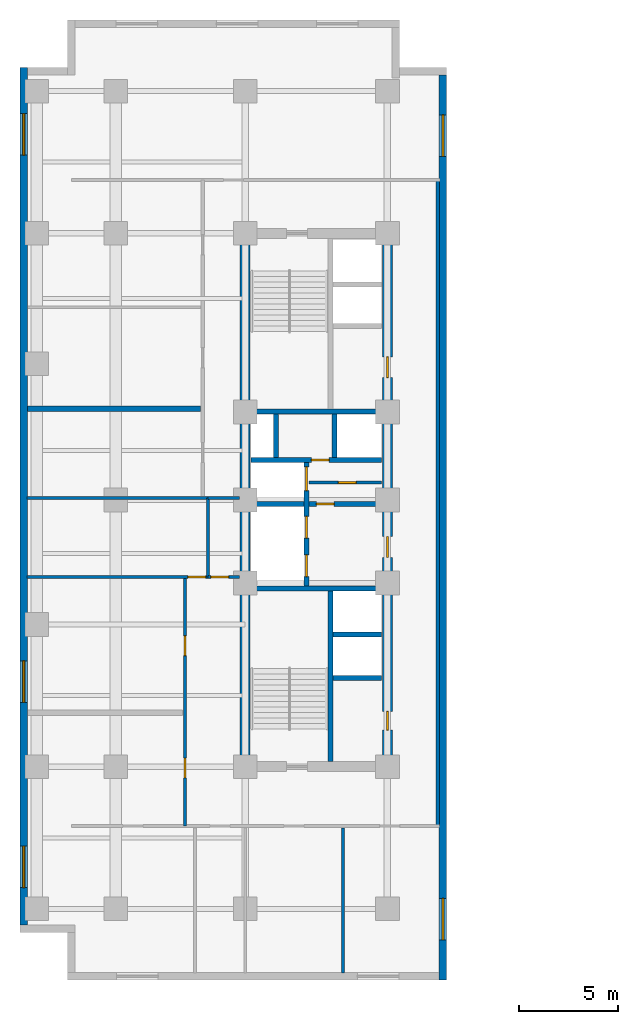
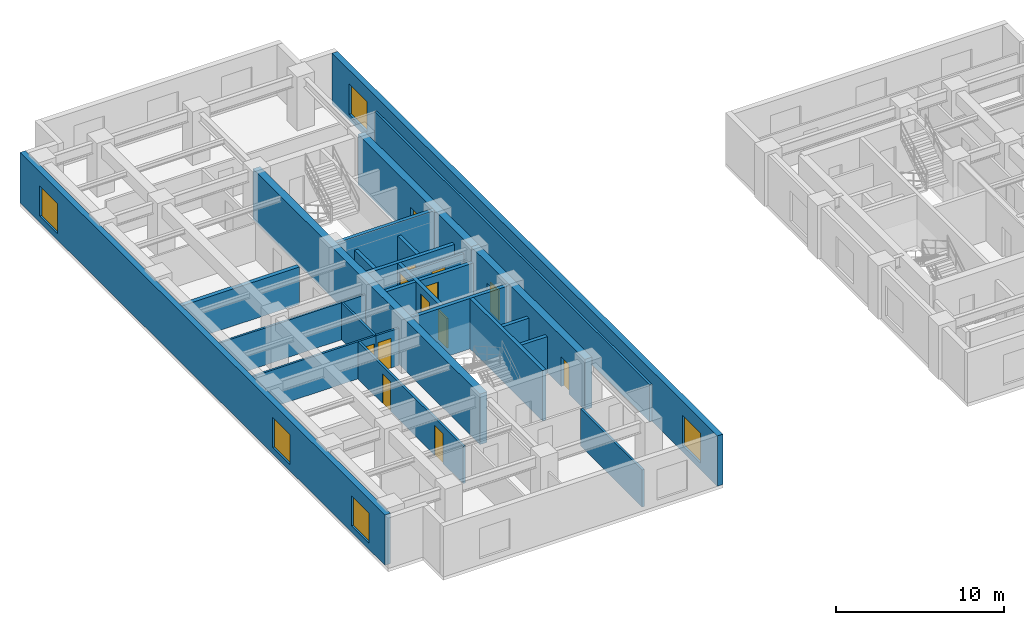
# One storey, part 3 of 8: 25 walls, 13 doors, 5 windows, 18 openings.
"""IFC4 building model written with IfcOpenShell, lengths in metres."""

from ifc_helpers import new_model, entity, si_unit, converted_unit, direction, frame, origin_with_axes, origin_2d_with_axis, place, context, subcontext, project, spatial, polyline, rectangle, outline, extrude, material, layer, layer_set, type_object, element, fill, save


model = new_model("IFC4")

# Units and contexts
model_context = context("Model", 3, precision=1e-05, world=origin_with_axes(), true_north=direction((0.0, 1.0)))
body_context = subcontext(model_context, "Body", "Model", "MODEL_VIEW")
ifc_project = project(units=[si_unit("LENGTHUNIT", "METRE"), si_unit("AREAUNIT", "SQUARE_METRE"), si_unit("VOLUMEUNIT", "CUBIC_METRE"), converted_unit("PLANEANGLEUNIT", "DEGREE", entity("IfcPlaneAngleMeasure", 0.017453292519943295), si_unit("PLANEANGLEUNIT", "RADIAN"), dimensions=[0, 0, 0, 0, 0, 0, 0]), si_unit("MASSUNIT", "GRAM", prefix="KILO"), si_unit("THERMODYNAMICTEMPERATUREUNIT", "KELVIN")], contexts=[model_context])

# Site, building, storey
site_placement = place(None, origin_with_axes())
site = spatial("IfcSite", under=ifc_project, at=site_placement, CompositionType="ELEMENT")
building_placement = place(site_placement, origin_with_axes())
building = spatial("IfcBuilding", under=site, at=building_placement, Name="Varnlund Millrace Tower", CompositionType="ELEMENT")
storey_placement = place(building_placement, frame((0.0, 0.0, 116.4), z_axis=(0.0, 0.0, 1.0), x_axis=(1.0, 0.0, 0.0)))
storey = spatial("IfcBuildingStorey", under=building, at=storey_placement, Name="L28", CompositionType="ELEMENT", Elevation=116.4)

# Wall
ifc_material_1 = material(Name="Concrete C70/85", Category="concrete")
ifc_layer_1 = layer(ifc_material_1, 0.5, Name="Concrete C70/85")
ifc_layer_set_1 = layer_set([ifc_layer_1], Name="Concrete C70/85")
wall_type_1 = type_object("IfcWallType", Name="Type-CoreWall-Shear-500-C70", PredefinedType="SHEAR", material=ifc_layer_set_1)
wall_1_placement = place(storey_placement, frame((11.4, 10.8, 0.0), z_axis=(0.0, 0.0, 1.0), x_axis=(0.0, 1.0, 0.0)))
element("IfcWall", 1, at=wall_1_placement, inside=storey, type_object=wall_type_1, Name="Type-CoreWall-Shear-500-C70", PredefinedType="SHEAR", context=body_context, shape_type="SweptSolid", body=[
    extrude(outline(polyline([(0.0, -0.25), (27.0, -0.25), (27.0, 0.25), (0.0, 0.25), (0.0, -0.25)])), origin_with_axes(), (0.0, 0.0, 1.0), 3.66),
])

# Wall, openings, doors
wall_2_placement = place(storey_placement, frame((18.6, 10.8, 0.0), z_axis=(0.0, 0.0, 1.0), x_axis=(0.0, 1.0, 0.0)))
wall_2 = element("IfcWall", 2, at=wall_2_placement, inside=storey, type_object=wall_type_1, Name="Type-CoreWall-Shear-500-C70", PredefinedType="SHEAR", context=body_context, shape_type="SweptSolid", body=[
    extrude(outline(polyline([(0.0, -0.25), (13.5, -0.25), (13.5, 0.25), (0.0, 0.25), (0.0, -0.25)])), origin_with_axes(), (0.0, 0.0, 1.0), 3.66),
])
opening_1_placement = place(wall_2_placement, frame((11.125, 0.0, 0.0), z_axis=(0.0, 0.0, 1.0), x_axis=(1.0, 0.0, 0.0)))
opening_1 = element("IfcOpeningElement", 3, at=opening_1_placement, cuts=wall_2, Name="Opening L28:DR-FFLOB-A", PredefinedType="OPENING", context=body_context, shape_type="SweptSolid", body=[
    extrude(rectangle(XDim=1.05, YDim=0.52, at=origin_2d_with_axis()), origin_with_axes(), (0.0, 0.0, 1.0), 2.15),
])
opening_2_placement = place(wall_2_placement, frame((2.325, 0.0, 0.0), z_axis=(0.0, 0.0, 1.0), x_axis=(1.0, 0.0, 0.0)))
opening_2 = element("IfcOpeningElement", 4, at=opening_2_placement, cuts=wall_2, Name="Opening L28:DR-RECL-B1", PredefinedType="OPENING", context=body_context, shape_type="SweptSolid", body=[
    extrude(rectangle(XDim=0.95, YDim=0.52, at=origin_2d_with_axis()), origin_with_axes(), (0.0, 0.0, 1.0), 2.15),
])
ifc_material_2 = material(Name="Smoke-barrier hollow steel fire door", Category="steel")
door_type_1 = type_object("IfcDoorType", Name="Type-FireDoor-Lobby-1050X2150", OperationType="NOTDEFINED", PredefinedType="DOOR", material=ifc_material_2)
door_1_placement = place(wall_2_placement, frame((11.125, 0.0, 0.0), z_axis=(0.0, 0.0, 1.0), x_axis=(1.0, 0.0, 0.0)))
door_1 = element("IfcDoor", 5, at=door_1_placement, inside=storey, type_object=door_type_1, Name="Type-FireDoor-Lobby-1050X2150", OperationType="SINGLE_SWING_LEFT", OverallHeight=2.15, OverallWidth=1.05, PredefinedType="DOOR", context=body_context, shape_type="SweptSolid", body=[
    extrude(rectangle(XDim=1.05, YDim=0.09, at=origin_2d_with_axis()), origin_with_axes(), (0.0, 0.0, 1.0), 2.15),
])
fill(opening_1, door_1)
ifc_material_3 = material(Name="Fire-rated hollow steel core service door", Category="steel")
door_type_2 = type_object("IfcDoorType", Name="Type-FireDoor-Service-950X2150", OperationType="NOTDEFINED", PredefinedType="DOOR", material=ifc_material_3)
door_2_placement = place(wall_2_placement, frame((2.325, 0.0, 0.0), z_axis=(0.0, 0.0, 1.0), x_axis=(1.0, 0.0, 0.0)))
door_2 = element("IfcDoor", 6, at=door_2_placement, inside=storey, type_object=door_type_2, Name="Type-FireDoor-Service-950X2150", OperationType="SINGLE_SWING_LEFT", OverallHeight=2.15, OverallWidth=0.95, PredefinedType="DOOR", context=body_context, shape_type="SweptSolid", body=[
    extrude(rectangle(XDim=0.95, YDim=0.09, at=origin_2d_with_axis()), origin_with_axes(), (0.0, 0.0, 1.0), 2.15),
])
fill(opening_2, door_2)

# Wall, opening, door
wall_3_placement = place(storey_placement, frame((18.6, 24.3, 0.0), z_axis=(0.0, 0.0, 1.0), x_axis=(0.0, 1.0, 0.0)))
wall_3 = element("IfcWall", 7, at=wall_3_placement, inside=storey, type_object=wall_type_1, Name="Type-CoreWall-Shear-500-C70", PredefinedType="SHEAR", context=body_context, shape_type="SweptSolid", body=[
    extrude(outline(polyline([(0.0, -0.25), (13.5, -0.25), (13.5, 0.25), (0.0, 0.25), (0.0, -0.25)])), origin_with_axes(), (0.0, 0.0, 1.0), 3.66),
])
opening_3_placement = place(wall_3_placement, frame((6.725, 0.0, 0.0), z_axis=(0.0, 0.0, 1.0), x_axis=(1.0, 0.0, 0.0)))
opening_3 = element("IfcOpeningElement", 8, at=opening_3_placement, cuts=wall_3, Name="Opening L28:DR-CA-WC1", PredefinedType="OPENING", context=body_context, shape_type="SweptSolid", body=[
    extrude(rectangle(XDim=1.05, YDim=0.52, at=origin_2d_with_axis()), origin_with_axes(), (0.0, 0.0, 1.0), 2.15),
])
door_3_placement = place(wall_3_placement, frame((6.725, 0.0, 0.0), z_axis=(0.0, 0.0, 1.0), x_axis=(1.0, 0.0, 0.0)))
door_3 = element("IfcDoor", 9, at=door_3_placement, inside=storey, type_object=door_type_1, Name="Type-FireDoor-Lobby-1050X2150", OperationType="SINGLE_SWING_LEFT", OverallHeight=2.15, OverallWidth=1.05, PredefinedType="DOOR", context=body_context, shape_type="SweptSolid", body=[
    extrude(rectangle(XDim=1.05, YDim=0.09, at=origin_2d_with_axis()), origin_with_axes(), (0.0, 0.0, 1.0), 2.15),
])
fill(opening_3, door_3)

# Wall, openings, windows
ifc_material_4 = material(Name="Precast concrete C50/60", Category="concrete")
ifc_layer_2 = layer(ifc_material_4, 0.38, Name="Precast concrete C50/60")
ifc_layer_set_2 = layer_set([ifc_layer_2], Name="Precast concrete C50/60")
wall_type_2 = type_object("IfcWallType", Name="Type-ExtWall-Precast-Tube-380", PredefinedType="SOLIDWALL", material=ifc_layer_set_2)
wall_4_placement = place(storey_placement, frame((0.19, 2.78, 0.0), z_axis=(0.0, 0.0, 1.0), x_axis=(0.0, 1.0, 0.0)))
wall_4 = element("IfcWall", 10, at=wall_4_placement, inside=storey, type_object=wall_type_2, Name="Type-ExtWall-Precast-Tube-380", PredefinedType="SOLIDWALL", context=body_context, shape_type="SweptSolid", body=[
    extrude(outline(polyline([(0.0, -0.19), (43.42, -0.19), (43.42, 0.19), (0.0, 0.19), (0.0, -0.19)])), origin_with_axes(), (0.0, 0.0, 1.0), 3.66),
])
opening_4_placement = place(wall_4_placement, frame((2.946, 0.0, 0.45), z_axis=(0.0, 0.0, 1.0), x_axis=(1.0, 0.0, 0.0)))
opening_4 = element("IfcOpeningElement", 11, at=opening_4_placement, cuts=wall_4, Name="Opening L28:WN-01", PredefinedType="OPENING", context=body_context, shape_type="SweptSolid", body=[
    extrude(rectangle(XDim=2.1, YDim=0.4, at=origin_2d_with_axis()), origin_with_axes(), (0.0, 0.0, 1.0), 2.2),
])
opening_5_placement = place(wall_4_placement, frame((12.328, 0.0, 0.45), z_axis=(0.0, 0.0, 1.0), x_axis=(1.0, 0.0, 0.0)))
opening_5 = element("IfcOpeningElement", 12, at=opening_5_placement, cuts=wall_4, Name="Opening L28:WN-02", PredefinedType="OPENING", context=body_context, shape_type="SweptSolid", body=[
    extrude(rectangle(XDim=2.1, YDim=0.4, at=origin_2d_with_axis()), origin_with_axes(), (0.0, 0.0, 1.0), 2.2),
])
opening_6_placement = place(wall_4_placement, frame((40.024, 0.0, 0.45), z_axis=(0.0, 0.0, 1.0), x_axis=(1.0, 0.0, 0.0)))
opening_6 = element("IfcOpeningElement", 13, at=opening_6_placement, cuts=wall_4, Name="Opening L28:WN-03", PredefinedType="OPENING", context=body_context, shape_type="SweptSolid", body=[
    extrude(rectangle(XDim=2.1, YDim=0.4, at=origin_2d_with_axis()), origin_with_axes(), (0.0, 0.0, 1.0), 2.2),
])
ifc_material_5 = material(Name="Argon low-e triple glazing in thermally broken bronze frame", Category="glass")
window_type = type_object("IfcWindowType", Name="Type-Window-Punched-2100X2200", PartitioningType="SINGLE_PANEL", PredefinedType="WINDOW", material=ifc_material_5)
window_1_placement = place(wall_4_placement, frame((2.946, 0.0, 0.45), z_axis=(0.0, 0.0, 1.0), x_axis=(1.0, 0.0, 0.0)))
window_1 = element("IfcWindow", 14, at=window_1_placement, inside=storey, type_object=window_type, Name="Type-Window-Punched-2100X2200", OverallHeight=2.2, OverallWidth=2.1, PredefinedType="WINDOW", context=body_context, shape_type="SweptSolid", body=[
    extrude(rectangle(XDim=2.1, YDim=0.09, at=origin_2d_with_axis()), origin_with_axes(), (0.0, 0.0, 1.0), 2.2),
])
fill(opening_4, window_1)
window_2_placement = place(wall_4_placement, frame((12.328, 0.0, 0.45), z_axis=(0.0, 0.0, 1.0), x_axis=(1.0, 0.0, 0.0)))
window_2 = element("IfcWindow", 15, at=window_2_placement, inside=storey, type_object=window_type, Name="Type-Window-Punched-2100X2200", OverallHeight=2.2, OverallWidth=2.1, PredefinedType="WINDOW", context=body_context, shape_type="SweptSolid", body=[
    extrude(rectangle(XDim=2.1, YDim=0.09, at=origin_2d_with_axis()), origin_with_axes(), (0.0, 0.0, 1.0), 2.2),
])
fill(opening_5, window_2)
window_3_placement = place(wall_4_placement, frame((40.024, 0.0, 0.45), z_axis=(0.0, 0.0, 1.0), x_axis=(1.0, 0.0, 0.0)))
window_3 = element("IfcWindow", 16, at=window_3_placement, inside=storey, type_object=window_type, Name="Type-Window-Punched-2100X2200", OverallHeight=2.2, OverallWidth=2.1, PredefinedType="WINDOW", context=body_context, shape_type="SweptSolid", body=[
    extrude(rectangle(XDim=2.1, YDim=0.09, at=origin_2d_with_axis()), origin_with_axes(), (0.0, 0.0, 1.0), 2.2),
])
fill(opening_6, window_3)

wall_5_placement = place(storey_placement, frame((21.41, 45.82, 0.0), z_axis=(0.0, 0.0, 1.0), x_axis=(0.0, -1.0, 0.0)))
wall_5 = element("IfcWall", 17, at=wall_5_placement, inside=storey, type_object=wall_type_2, Name="Type-ExtWall-Precast-Tube-380", PredefinedType="SOLIDWALL", context=body_context, shape_type="SweptSolid", body=[
    extrude(outline(polyline([(0.0, -0.19), (45.82, -0.19), (45.82, 0.19), (0.0, 0.19), (0.0, -0.19)])), origin_with_axes(), (0.0, 0.0, 1.0), 3.66),
])
opening_7_placement = place(wall_5_placement, frame((3.079, 0.0, 0.45), z_axis=(0.0, 0.0, 1.0), x_axis=(1.0, 0.0, 0.0)))
opening_7 = element("IfcOpeningElement", 18, at=opening_7_placement, cuts=wall_5, Name="Opening L28:WN-07", PredefinedType="OPENING", context=body_context, shape_type="SweptSolid", body=[
    extrude(rectangle(XDim=2.1, YDim=0.4, at=origin_2d_with_axis()), origin_with_axes(), (0.0, 0.0, 1.0), 2.2),
])
opening_8_placement = place(wall_5_placement, frame((42.741, 0.0, 0.45), z_axis=(0.0, 0.0, 1.0), x_axis=(1.0, 0.0, 0.0)))
opening_8 = element("IfcOpeningElement", 19, at=opening_8_placement, cuts=wall_5, Name="Opening L28:WN-08", PredefinedType="OPENING", context=body_context, shape_type="SweptSolid", body=[
    extrude(rectangle(XDim=2.1, YDim=0.4, at=origin_2d_with_axis()), origin_with_axes(), (0.0, 0.0, 1.0), 2.2),
])
window_4_placement = place(wall_5_placement, frame((3.079, 0.0, 0.45), z_axis=(0.0, 0.0, 1.0), x_axis=(1.0, 0.0, 0.0)))
window_4 = element("IfcWindow", 20, at=window_4_placement, inside=storey, type_object=window_type, Name="Type-Window-Punched-2100X2200", OverallHeight=2.2, OverallWidth=2.1, PredefinedType="WINDOW", context=body_context, shape_type="SweptSolid", body=[
    extrude(rectangle(XDim=2.1, YDim=0.09, at=origin_2d_with_axis()), origin_with_axes(), (0.0, 0.0, 1.0), 2.2),
])
fill(opening_7, window_4)
window_5_placement = place(wall_5_placement, frame((42.741, 0.0, 0.45), z_axis=(0.0, 0.0, 1.0), x_axis=(1.0, 0.0, 0.0)))
window_5 = element("IfcWindow", 21, at=window_5_placement, inside=storey, type_object=window_type, Name="Type-Window-Punched-2100X2200", OverallHeight=2.2, OverallWidth=2.1, PredefinedType="WINDOW", context=body_context, shape_type="SweptSolid", body=[
    extrude(rectangle(XDim=2.1, YDim=0.09, at=origin_2d_with_axis()), origin_with_axes(), (0.0, 0.0, 1.0), 2.2),
])
fill(opening_8, window_5)

# Wall
ifc_material_6 = material(Name="Double-stud STC-60 conference acoustic partition", Category="gypsum")
ifc_layer_3 = layer(ifc_material_6, 0.28, Name="Double-stud STC-60 conference acoustic partition")
ifc_layer_set_3 = layer_set([ifc_layer_3], Name="Double-stud STC-60 conference acoustic partition")
wall_type_3 = type_object("IfcWallType", Name="Type-Partition-Acoustic-280", PredefinedType="PARTITIONING", material=ifc_layer_set_3)
wall_6_placement = place(storey_placement, frame((0.375, 28.93, 0.0), z_axis=(0.0, 0.0, 1.0), x_axis=(1.0, 0.0, 0.0)))
element("IfcWall", 22, at=wall_6_placement, inside=storey, type_object=wall_type_3, Name="Type-Partition-Acoustic-280", PredefinedType="PARTITIONING", context=body_context, shape_type="SweptSolid", body=[
    extrude(outline(polyline([(0.0, -0.14), (8.755, -0.14), (8.755, 0.14), (0.0, 0.14), (0.0, -0.14)])), origin_with_axes(), (0.0, 0.0, 1.0), 2.7),
])

# Wall, opening, door
ifc_material_7 = material(Name="Fire-rated gypsum board on cold-formed steel framing", Category="steel")
ifc_layer_4 = layer(ifc_material_7, 0.16, Name="Fire-rated gypsum board on cold-formed steel framing")
ifc_layer_set_4 = layer_set([ifc_layer_4], Name="Fire-rated gypsum board on cold-formed steel framing")
wall_type_4 = type_object("IfcWallType", Name="Type-Partition-Corridor-160", PredefinedType="PARTITIONING", material=ifc_layer_set_4)
wall_7_placement = place(storey_placement, frame((14.62, 25.18, 0.0), z_axis=(0.0, 0.0, 1.0), x_axis=(1.0, 0.0, 0.0)))
wall_7 = element("IfcWall", 23, at=wall_7_placement, inside=storey, type_object=wall_type_4, Name="Type-Partition-Corridor-160", PredefinedType="PARTITIONING", context=body_context, shape_type="SweptSolid", body=[
    extrude(outline(polyline([(0.0, -0.08), (3.68, -0.08), (3.68, 0.08), (0.0, 0.08), (0.0, -0.08)])), origin_with_axes(), (0.0, 0.0, 1.0), 2.7),
])
opening_9_placement = place(wall_7_placement, frame((1.95, 0.0, 0.0), z_axis=(0.0, 0.0, 1.0), x_axis=(1.0, 0.0, 0.0)))
opening_9 = element("IfcOpeningElement", 24, at=opening_9_placement, cuts=wall_7, Name="Opening L28:DR-CA-SUB2", PredefinedType="OPENING", context=body_context, shape_type="SweptSolid", body=[
    extrude(rectangle(XDim=0.9, YDim=0.18, at=origin_2d_with_axis()), origin_with_axes(), (0.0, 0.0, 1.0), 2.15),
])
ifc_material_8 = material(Name="Painted steel riser and closet door", Category="steel")
door_type_3 = type_object("IfcDoorType", Name="Type-IntDoor-Closet-900X2150", OperationType="NOTDEFINED", PredefinedType="DOOR", material=ifc_material_8)
door_4_placement = place(wall_7_placement, frame((1.95, 0.0, 0.0), z_axis=(0.0, 0.0, 1.0), x_axis=(1.0, 0.0, 0.0)))
door_4 = element("IfcDoor", 25, at=door_4_placement, inside=storey, type_object=door_type_3, Name="Type-IntDoor-Closet-900X2150", OperationType="SINGLE_SWING_LEFT", OverallHeight=2.15, OverallWidth=0.9, PredefinedType="DOOR", context=body_context, shape_type="SweptSolid", body=[
    extrude(rectangle(XDim=0.9, YDim=0.09, at=origin_2d_with_axis()), origin_with_axes(), (0.0, 0.0, 1.0), 2.15),
])
fill(opening_9, door_4)

# Wall
wall_8_placement = place(storey_placement, frame((21.15, 7.8, 0.0), z_axis=(0.0, 0.0, 1.0), x_axis=(0.0, 1.0, 0.0)))
element("IfcWall", 26, at=wall_8_placement, inside=storey, type_object=wall_type_4, Name="Type-Partition-Corridor-160", PredefinedType="PARTITIONING", context=body_context, shape_type="SweptSolid", body=[
    extrude(outline(polyline([(0.0, -0.08), (32.7, -0.08), (32.7, 0.08), (0.0, 0.08), (0.0, -0.08)])), origin_with_axes(), (0.0, 0.0, 1.0), 2.7),
])

# Wall, openings, doors
wall_9_placement = place(storey_placement, frame((8.35, 7.8, 0.0), z_axis=(0.0, 0.0, 1.0), x_axis=(0.0, 1.0, 0.0)))
wall_9 = element("IfcWall", 27, at=wall_9_placement, inside=storey, type_object=wall_type_4, Name="Type-Partition-Corridor-160", PredefinedType="PARTITIONING", context=body_context, shape_type="SweptSolid", body=[
    extrude(outline(polyline([(0.0, -0.08), (12.6, -0.08), (12.6, 0.08), (0.0, 0.08), (0.0, -0.08)])), origin_with_axes(), (0.0, 0.0, 1.0), 2.7),
])
opening_10_placement = place(wall_9_placement, frame((2.9305, 0.0, 0.0), z_axis=(0.0, 0.0, 1.0), x_axis=(1.0, 0.0, 0.0)))
opening_10 = element("IfcOpeningElement", 28, at=opening_10_placement, cuts=wall_9, Name="Opening L28:DR-WS-01", PredefinedType="OPENING", context=body_context, shape_type="SweptSolid", body=[
    extrude(rectangle(XDim=1.0, YDim=0.18, at=origin_2d_with_axis()), origin_with_axes(), (0.0, 0.0, 1.0), 2.15),
])
opening_11_placement = place(wall_9_placement, frame((9.1255, 0.0, 0.0), z_axis=(0.0, 0.0, 1.0), x_axis=(1.0, 0.0, 0.0)))
opening_11 = element("IfcOpeningElement", 29, at=opening_11_placement, cuts=wall_9, Name="Opening L28:DR-WS-02", PredefinedType="OPENING", context=body_context, shape_type="SweptSolid", body=[
    extrude(rectangle(XDim=1.0, YDim=0.18, at=origin_2d_with_axis()), origin_with_axes(), (0.0, 0.0, 1.0), 2.15),
])
ifc_material_9 = material(Name="Solid-core white oak and bronze frame door")
door_type_4 = type_object("IfcDoorType", Name="Type-IntDoor-Office-1000X2150", OperationType="NOTDEFINED", PredefinedType="DOOR", material=ifc_material_9)
door_5_placement = place(wall_9_placement, frame((2.9305, 0.0, 0.0), z_axis=(0.0, 0.0, 1.0), x_axis=(1.0, 0.0, 0.0)))
door_5 = element("IfcDoor", 30, at=door_5_placement, inside=storey, type_object=door_type_4, Name="Type-IntDoor-Office-1000X2150", OperationType="SINGLE_SWING_LEFT", OverallHeight=2.15, OverallWidth=1.0, PredefinedType="DOOR", context=body_context, shape_type="SweptSolid", body=[
    extrude(rectangle(XDim=1.0, YDim=0.09, at=origin_2d_with_axis()), origin_with_axes(), (0.0, 0.0, 1.0), 2.15),
])
fill(opening_10, door_5)
door_6_placement = place(wall_9_placement, frame((9.1255, 0.0, 0.0), z_axis=(0.0, 0.0, 1.0), x_axis=(1.0, 0.0, 0.0)))
door_6 = element("IfcDoor", 31, at=door_6_placement, inside=storey, type_object=door_type_4, Name="Type-IntDoor-Office-1000X2150", OperationType="SINGLE_SWING_RIGHT", OverallHeight=2.15, OverallWidth=1.0, PredefinedType="DOOR", context=body_context, shape_type="SweptSolid", body=[
    extrude(rectangle(XDim=1.0, YDim=0.09, at=origin_2d_with_axis()), origin_with_axes(), (0.0, 0.0, 1.0), 2.15),
])
fill(opening_11, door_6)

# Walls
ifc_material_10 = material(Name="Acoustic STC-50 gypsum board partition", Category="gypsum")
ifc_layer_5 = layer(ifc_material_10, 0.15, Name="Acoustic STC-50 gypsum board partition")
ifc_layer_set_5 = layer_set([ifc_layer_5], Name="Acoustic STC-50 gypsum board partition")
wall_type_5 = type_object("IfcWallType", Name="Type-Partition-Demising-150", PredefinedType="PARTITIONING", material=ifc_layer_set_5)
wall_10_placement = place(storey_placement, frame((16.341, 0.36, 0.0), z_axis=(0.0, 0.0, 1.0), x_axis=(0.0, 1.0, 0.0)))
element("IfcWall", 32, at=wall_10_placement, inside=storey, type_object=wall_type_5, Name="Type-Partition-Demising-150", PredefinedType="PARTITIONING", context=body_context, shape_type="SweptSolid", body=[
    extrude(outline(polyline([(0.0, -0.075), (7.34, -0.075), (7.34, 0.075), (0.0, 0.075), (0.0, -0.075)])), origin_with_axes(), (0.0, 0.0, 1.0), 2.7),
])
ifc_material_11 = material(Name="Moisture-resistant gypsum restroom partition", Category="gypsum")
ifc_layer_6 = layer(ifc_material_11, 0.14, Name="Moisture-resistant gypsum restroom partition")
ifc_layer_set_6 = layer_set([ifc_layer_6], Name="Moisture-resistant gypsum restroom partition")
wall_type_6 = type_object("IfcWallType", Name="Type-Partition-Wet-140", PredefinedType="PARTITIONING", material=ifc_layer_set_6)
wall_11_placement = place(storey_placement, frame((9.52, 20.4, 0.0), z_axis=(0.0, 0.0, 1.0), x_axis=(0.0, 1.0, 0.0)))
element("IfcWall", 33, at=wall_11_placement, inside=storey, type_object=wall_type_6, Name="Type-Partition-Wet-140", PredefinedType="PARTITIONING", context=body_context, shape_type="SweptSolid", body=[
    extrude(outline(polyline([(0.0, -0.07), (4.0, -0.07), (4.0, 0.07), (0.0, 0.07), (0.0, -0.07)])), origin_with_axes(), (0.0, 0.0, 1.0), 2.7),
])

# Wall, opening, door
wall_12_placement = place(storey_placement, frame((9.52, 20.4, 0.0), z_axis=(0.0, 0.0, 1.0), x_axis=(1.0, 0.0, 0.0)))
wall_12 = element("IfcWall", 34, at=wall_12_placement, inside=storey, type_object=wall_type_6, Name="Type-Partition-Wet-140", PredefinedType="PARTITIONING", context=body_context, shape_type="SweptSolid", body=[
    extrude(outline(polyline([(0.0, -0.07), (1.58, -0.07), (1.58, 0.07), (0.0, 0.07), (0.0, -0.07)])), origin_with_axes(), (0.0, 0.0, 1.0), 2.7),
])
opening_12_placement = place(wall_12_placement, frame((0.59, 0.0, 0.0), z_axis=(0.0, 0.0, 1.0), x_axis=(1.0, 0.0, 0.0)))
opening_12 = element("IfcOpeningElement", 35, at=opening_12_placement, cuts=wall_12, Name="Opening L28:DR-CA-WCW", PredefinedType="OPENING", context=body_context, shape_type="SweptSolid", body=[
    extrude(rectangle(XDim=0.9, YDim=0.16, at=origin_2d_with_axis()), origin_with_axes(), (0.0, 0.0, 1.0), 2.15),
])
door_7_placement = place(wall_12_placement, frame((0.59, 0.0, 0.0), z_axis=(0.0, 0.0, 1.0), x_axis=(1.0, 0.0, 0.0)))
door_7 = element("IfcDoor", 36, at=door_7_placement, inside=storey, type_object=door_type_3, Name="Type-IntDoor-Closet-900X2150", OperationType="SINGLE_SWING_LEFT", OverallHeight=2.15, OverallWidth=0.9, PredefinedType="DOOR", context=body_context, shape_type="SweptSolid", body=[
    extrude(rectangle(XDim=0.9, YDim=0.084, at=origin_2d_with_axis()), origin_with_axes(), (0.0, 0.0, 1.0), 2.15),
])
fill(opening_12, door_7)

# Wall
wall_13_placement = place(storey_placement, frame((9.52, 24.4, 0.0), z_axis=(0.0, 0.0, 1.0), x_axis=(1.0, 0.0, 0.0)))
element("IfcWall", 37, at=wall_13_placement, inside=storey, type_object=wall_type_6, Name="Type-Partition-Wet-140", PredefinedType="PARTITIONING", context=body_context, shape_type="SweptSolid", body=[
    extrude(outline(polyline([(0.0, -0.07), (1.58, -0.07), (1.58, 0.07), (0.0, 0.07), (0.0, -0.07)])), origin_with_axes(), (0.0, 0.0, 1.0), 2.7),
])

# Wall, opening, door
wall_14_placement = place(storey_placement, frame((0.36, 20.4, 0.0), z_axis=(0.0, 0.0, 1.0), x_axis=(1.0, 0.0, 0.0)))
wall_14 = element("IfcWall", 38, at=wall_14_placement, inside=storey, type_object=wall_type_6, Name="Type-Partition-Wet-140", PredefinedType="PARTITIONING", context=body_context, shape_type="SweptSolid", body=[
    extrude(outline(polyline([(0.0, -0.07), (9.16, -0.07), (9.16, 0.07), (0.0, 0.07), (0.0, -0.07)])), origin_with_axes(), (0.0, 0.0, 1.0), 2.7),
])
opening_13_placement = place(wall_14_placement, frame((8.59, 0.0, 0.0), z_axis=(0.0, 0.0, 1.0), x_axis=(1.0, 0.0, 0.0)))
opening_13 = element("IfcOpeningElement", 39, at=opening_13_placement, cuts=wall_14, Name="Opening L28:DR-W-MIDR", PredefinedType="OPENING", context=body_context, shape_type="SweptSolid", body=[
    extrude(rectangle(XDim=0.9, YDim=0.16, at=origin_2d_with_axis()), origin_with_axes(), (0.0, 0.0, 1.0), 2.15),
])
door_8_placement = place(wall_14_placement, frame((8.59, 0.0, 0.0), z_axis=(0.0, 0.0, 1.0), x_axis=(1.0, 0.0, 0.0)))
door_8 = element("IfcDoor", 40, at=door_8_placement, inside=storey, type_object=door_type_3, Name="Type-IntDoor-Closet-900X2150", OperationType="SINGLE_SWING_LEFT", OverallHeight=2.15, OverallWidth=0.9, PredefinedType="DOOR", context=body_context, shape_type="SweptSolid", body=[
    extrude(rectangle(XDim=0.9, YDim=0.084, at=origin_2d_with_axis()), origin_with_axes(), (0.0, 0.0, 1.0), 2.15),
])
fill(opening_13, door_8)

# Wall
wall_15_placement = place(storey_placement, frame((0.36, 24.4, 0.0), z_axis=(0.0, 0.0, 1.0), x_axis=(1.0, 0.0, 0.0)))
element("IfcWall", 41, at=wall_15_placement, inside=storey, type_object=wall_type_6, Name="Type-Partition-Wet-140", PredefinedType="PARTITIONING", context=body_context, shape_type="SweptSolid", body=[
    extrude(outline(polyline([(0.0, -0.07), (9.16, -0.07), (9.16, 0.07), (0.0, 0.07), (0.0, -0.07)])), origin_with_axes(), (0.0, 0.0, 1.0), 2.7),
])

# Wall, openings, doors
ifc_material_12 = material(Name="Concrete C60/75", Category="concrete")
ifc_layer_7 = layer(ifc_material_12, 0.25, Name="Concrete C60/75")
ifc_layer_set_7 = layer_set([ifc_layer_7], Name="Concrete C60/75")
wall_type_7 = type_object("IfcWallType", Name="Type-ShaftWall-Fire-250", PredefinedType="SOLIDWALL", material=ifc_layer_set_7)
wall_16_placement = place(storey_placement, frame((14.5, 19.95, 0.0), z_axis=(0.0, 0.0, 1.0), x_axis=(0.0, 1.0, 0.0)))
wall_16 = element("IfcWall", 42, at=wall_16_placement, inside=storey, type_object=wall_type_7, Name="Type-ShaftWall-Fire-250", PredefinedType="SOLIDWALL", context=body_context, shape_type="SweptSolid", body=[
    extrude(outline(polyline([(0.0, -0.125), (6.25, -0.125), (6.25, 0.125), (0.0, 0.125), (0.0, -0.125)])), origin_with_axes(), (0.0, 0.0, 1.0), 2.7),
])
opening_14_placement = place(wall_16_placement, frame((1.025, 0.0, 0.0), z_axis=(0.0, 0.0, 1.0), x_axis=(1.0, 0.0, 0.0)))
opening_14 = element("IfcOpeningElement", 43, at=opening_14_placement, cuts=wall_16, Name="Opening L28:LD-FSAE1", PredefinedType="OPENING", context=body_context, shape_type="SweptSolid", body=[
    extrude(rectangle(XDim=1.1, YDim=0.27, at=origin_2d_with_axis()), origin_with_axes(), (0.0, 0.0, 1.0), 2.15),
])
opening_15_placement = place(wall_16_placement, frame((2.975, 0.0, 0.0), z_axis=(0.0, 0.0, 1.0), x_axis=(1.0, 0.0, 0.0)))
opening_15 = element("IfcOpeningElement", 44, at=opening_15_placement, cuts=wall_16, Name="Opening L28:LD-FSAE2", PredefinedType="OPENING", context=body_context, shape_type="SweptSolid", body=[
    extrude(rectangle(XDim=1.1, YDim=0.27, at=origin_2d_with_axis()), origin_with_axes(), (0.0, 0.0, 1.0), 2.15),
])
opening_16_placement = place(wall_16_placement, frame((5.425, 0.0, 0.0), z_axis=(0.0, 0.0, 1.0), x_axis=(1.0, 0.0, 0.0)))
opening_16 = element("IfcOpeningElement", 45, at=opening_16_placement, cuts=wall_16, Name="Opening L28:LD-SRV1", PredefinedType="OPENING", context=body_context, shape_type="SweptSolid", body=[
    extrude(rectangle(XDim=1.2, YDim=0.27, at=origin_2d_with_axis()), origin_with_axes(), (0.0, 0.0, 1.0), 2.15),
])
ifc_material_13 = material(Name="Stainless and architectural bronze sliding landing door")
door_type_5 = type_object("IfcDoorType", Name="Type-LiftLandingDoor-1100X2150", OperationType="NOTDEFINED", PredefinedType="DOOR", material=ifc_material_13)
door_9_placement = place(wall_16_placement, frame((1.025, 0.0, 0.0), z_axis=(0.0, 0.0, 1.0), x_axis=(1.0, 0.0, 0.0)))
door_9 = element("IfcDoor", 46, at=door_9_placement, inside=storey, type_object=door_type_5, Name="Type-LiftLandingDoor-1100X2150", OperationType="SLIDING_TO_LEFT", OverallHeight=2.15, OverallWidth=1.1, PredefinedType="DOOR", context=body_context, shape_type="SweptSolid", body=[
    extrude(rectangle(XDim=1.1, YDim=0.09, at=origin_2d_with_axis()), origin_with_axes(), (0.0, 0.0, 1.0), 2.15),
])
fill(opening_14, door_9)
door_10_placement = place(wall_16_placement, frame((2.975, 0.0, 0.0), z_axis=(0.0, 0.0, 1.0), x_axis=(1.0, 0.0, 0.0)))
door_10 = element("IfcDoor", 47, at=door_10_placement, inside=storey, type_object=door_type_5, Name="Type-LiftLandingDoor-1100X2150", OperationType="SLIDING_TO_RIGHT", OverallHeight=2.15, OverallWidth=1.1, PredefinedType="DOOR", context=body_context, shape_type="SweptSolid", body=[
    extrude(rectangle(XDim=1.1, YDim=0.09, at=origin_2d_with_axis()), origin_with_axes(), (0.0, 0.0, 1.0), 2.15),
])
fill(opening_15, door_10)
ifc_material_14 = material(Name="Heavy-duty freight sliding landing door")
door_type_6 = type_object("IfcDoorType", Name="Type-LiftLandingDoor-Service-1200X2150", OperationType="NOTDEFINED", PredefinedType="DOOR", material=ifc_material_14)
door_11_placement = place(wall_16_placement, frame((5.425, 0.0, 0.0), z_axis=(0.0, 0.0, 1.0), x_axis=(1.0, 0.0, 0.0)))
door_11 = element("IfcDoor", 48, at=door_11_placement, inside=storey, type_object=door_type_6, Name="Type-LiftLandingDoor-Service-1200X2150", OperationType="DOUBLE_DOOR_SLIDING", OverallHeight=2.15, OverallWidth=1.2, PredefinedType="DOOR", context=body_context, shape_type="SweptSolid", body=[
    extrude(rectangle(XDim=1.2, YDim=0.09, at=origin_2d_with_axis()), origin_with_axes(), (0.0, 0.0, 1.0), 2.15),
])
fill(opening_16, door_11)

# Wall, opening, door
wall_17_placement = place(storey_placement, frame((11.7, 24.1, 0.0), z_axis=(0.0, 0.0, 1.0), x_axis=(1.0, 0.0, 0.0)))
wall_17 = element("IfcWall", 49, at=wall_17_placement, inside=storey, type_object=wall_type_7, Name="Type-ShaftWall-Fire-250", PredefinedType="SOLIDWALL", context=body_context, shape_type="SweptSolid", body=[
    extrude(outline(polyline([(0.0, -0.125), (6.6, -0.125), (6.6, 0.125), (0.0, 0.125), (0.0, -0.125)])), origin_with_axes(), (0.0, 0.0, 1.0), 2.7),
])
opening_17_placement = place(wall_17_placement, frame((3.75, 0.0, 0.0), z_axis=(0.0, 0.0, 1.0), x_axis=(1.0, 0.0, 0.0)))
opening_17 = element("IfcOpeningElement", 50, at=opening_17_placement, cuts=wall_17, Name="Opening L28:DR-CA-SUB1", PredefinedType="OPENING", context=body_context, shape_type="SweptSolid", body=[
    extrude(rectangle(XDim=0.9, YDim=0.27, at=origin_2d_with_axis()), origin_with_axes(), (0.0, 0.0, 1.0), 2.15),
])
ifc_material_15 = material(Name="Fire-rated hollow steel service closet door", Category="steel")
door_type_7 = type_object("IfcDoorType", Name="Type-FireDoor-Closet-900X2150", OperationType="NOTDEFINED", PredefinedType="DOOR", material=ifc_material_15)
door_12_placement = place(wall_17_placement, frame((3.75, 0.0, 0.0), z_axis=(0.0, 0.0, 1.0), x_axis=(1.0, 0.0, 0.0)))
door_12 = element("IfcDoor", 51, at=door_12_placement, inside=storey, type_object=door_type_7, Name="Type-FireDoor-Closet-900X2150", OperationType="SINGLE_SWING_LEFT", OverallHeight=2.15, OverallWidth=0.9, PredefinedType="DOOR", context=body_context, shape_type="SweptSolid", body=[
    extrude(rectangle(XDim=0.9, YDim=0.09, at=origin_2d_with_axis()), origin_with_axes(), (0.0, 0.0, 1.0), 2.15),
])
fill(opening_17, door_12)

wall_18_placement = place(storey_placement, frame((11.7, 26.325, 0.0), z_axis=(0.0, 0.0, 1.0), x_axis=(1.0, 0.0, 0.0)))
wall_18 = element("IfcWall", 52, at=wall_18_placement, inside=storey, type_object=wall_type_7, Name="Type-ShaftWall-Fire-250", PredefinedType="SOLIDWALL", context=body_context, shape_type="SweptSolid", body=[
    extrude(outline(polyline([(0.0, -0.125), (6.6, -0.125), (6.6, 0.125), (0.0, 0.125), (0.0, -0.125)])), origin_with_axes(), (0.0, 0.0, 1.0), 2.7),
])
opening_18_placement = place(wall_18_placement, frame((3.5, 0.0, 0.0), z_axis=(0.0, 0.0, 1.0), x_axis=(1.0, 0.0, 0.0)))
opening_18 = element("IfcOpeningElement", 53, at=opening_18_placement, cuts=wall_18, Name="Opening L28:DR-CA-ELC", PredefinedType="OPENING", context=body_context, shape_type="SweptSolid", body=[
    extrude(rectangle(XDim=0.9, YDim=0.27, at=origin_2d_with_axis()), origin_with_axes(), (0.0, 0.0, 1.0), 2.15),
])
door_13_placement = place(wall_18_placement, frame((3.5, 0.0, 0.0), z_axis=(0.0, 0.0, 1.0), x_axis=(1.0, 0.0, 0.0)))
door_13 = element("IfcDoor", 54, at=door_13_placement, inside=storey, type_object=door_type_7, Name="Type-FireDoor-Closet-900X2150", OperationType="SINGLE_SWING_LEFT", OverallHeight=2.15, OverallWidth=0.9, PredefinedType="DOOR", context=body_context, shape_type="SweptSolid", body=[
    extrude(rectangle(XDim=0.9, YDim=0.09, at=origin_2d_with_axis()), origin_with_axes(), (0.0, 0.0, 1.0), 2.15),
])
fill(opening_18, door_13)

# Walls
for number, where, z_axis, x_axis, name in (
    (55, (12.96, 26.45, 0.0), (0.0, 0.0, 1.0), (0.0, 1.0, 0.0), "Type-ShaftWall-Fire-250"),
    (56, (15.925, 26.45, 0.0), (0.0, 0.0, 1.0), (0.0, 1.0, 0.0), "Type-ShaftWall-Fire-250"),
):
    element("IfcWall", number, at=place(storey_placement, frame(where, z_axis=z_axis, x_axis=x_axis)), inside=storey, type_object=wall_type_7, Name=name, PredefinedType="SOLIDWALL", context=body_context, shape_type="SweptSolid", body=[
        extrude(outline(polyline([(0.0, -0.125), (2.2, -0.125), (2.2, 0.125), (0.0, 0.125), (0.0, -0.125)])), origin_with_axes(), (0.0, 0.0, 1.0), 2.7),
    ])
for number, where, z_axis, x_axis, name in (
    (57, (15.84, 15.29, 0.0), (0.0, 0.0, 1.0), (1.0, 0.0, 0.0), "Type-ShaftWall-Fire-250"),
    (58, (15.84, 17.49, 0.0), (0.0, 0.0, 1.0), (1.0, 0.0, 0.0), "Type-ShaftWall-Fire-250"),
):
    element("IfcWall", number, at=place(storey_placement, frame(where, z_axis=z_axis, x_axis=x_axis)), inside=storey, type_object=wall_type_7, Name=name, PredefinedType="SOLIDWALL", context=body_context, shape_type="SweptSolid", body=[
        extrude(outline(polyline([(0.0, -0.125), (2.46, -0.125), (2.46, 0.125), (0.0, 0.125), (0.0, -0.125)])), origin_with_axes(), (0.0, 0.0, 1.0), 2.7),
    ])
wall_type_8 = type_object("IfcWallType", Name="Type-StairWall-Shear-250", PredefinedType="SHEAR", material=ifc_layer_set_7)
wall_19_placement = place(storey_placement, frame((15.725, 11.05, 0.0), z_axis=(0.0, 0.0, 1.0), x_axis=(0.0, 1.0, 0.0)))
element("IfcWall", 59, at=wall_19_placement, inside=storey, type_object=wall_type_8, Name="Type-StairWall-Shear-250", PredefinedType="SHEAR", context=body_context, shape_type="SweptSolid", body=[
    extrude(outline(polyline([(0.0, -0.125), (8.65, -0.125), (8.65, 0.125), (0.0, 0.125), (0.0, -0.125)])), origin_with_axes(), (0.0, 0.0, 1.0), 3.66),
])
for number, where, z_axis, x_axis, name in (
    (60, (11.65, 19.825, 0.0), (0.0, 0.0, 1.0), (1.0, 0.0, 0.0), "Type-StairWall-Shear-250"),
    (61, (11.65, 28.775, 0.0), (0.0, 0.0, 1.0), (1.0, 0.0, 0.0), "Type-StairWall-Shear-250"),
):
    element("IfcWall", number, at=place(storey_placement, frame(where, z_axis=z_axis, x_axis=x_axis)), inside=storey, type_object=wall_type_8, Name=name, PredefinedType="SHEAR", context=body_context, shape_type="SweptSolid", body=[
        extrude(outline(polyline([(0.0, -0.125), (6.7, -0.125), (6.7, 0.125), (0.0, 0.125), (0.0, -0.125)])), origin_with_axes(), (0.0, 0.0, 1.0), 3.66),
    ])

save(model, "model.ifc")
